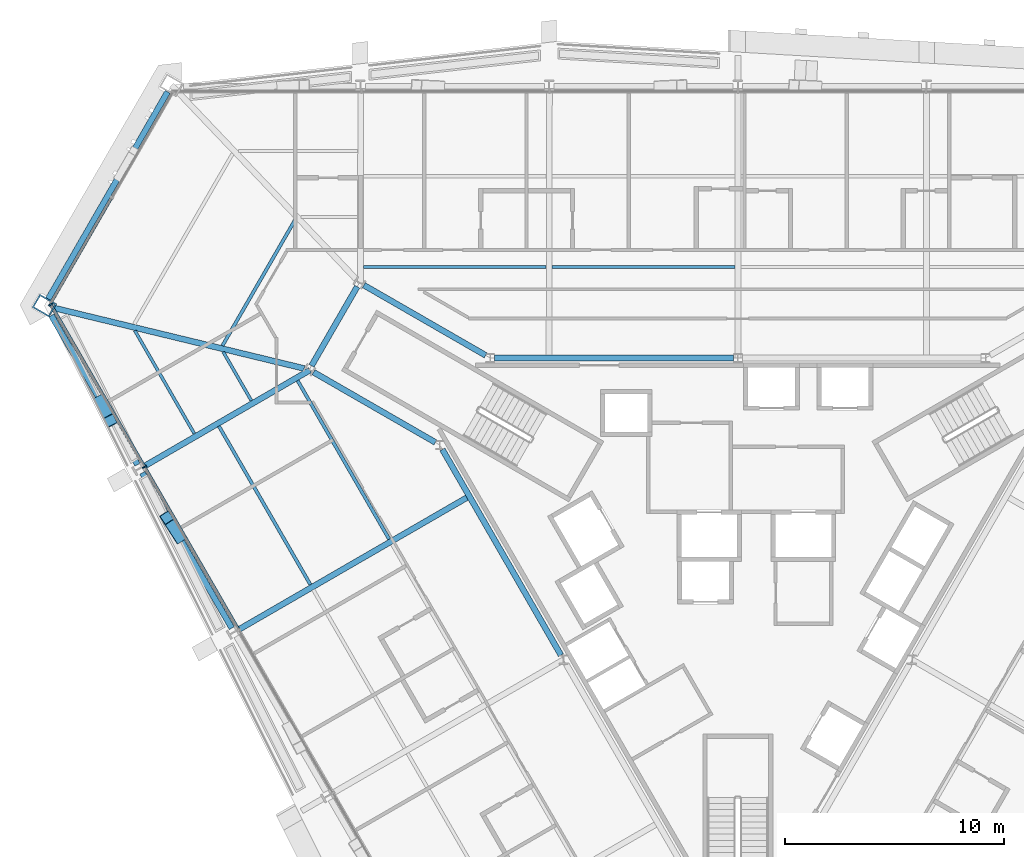
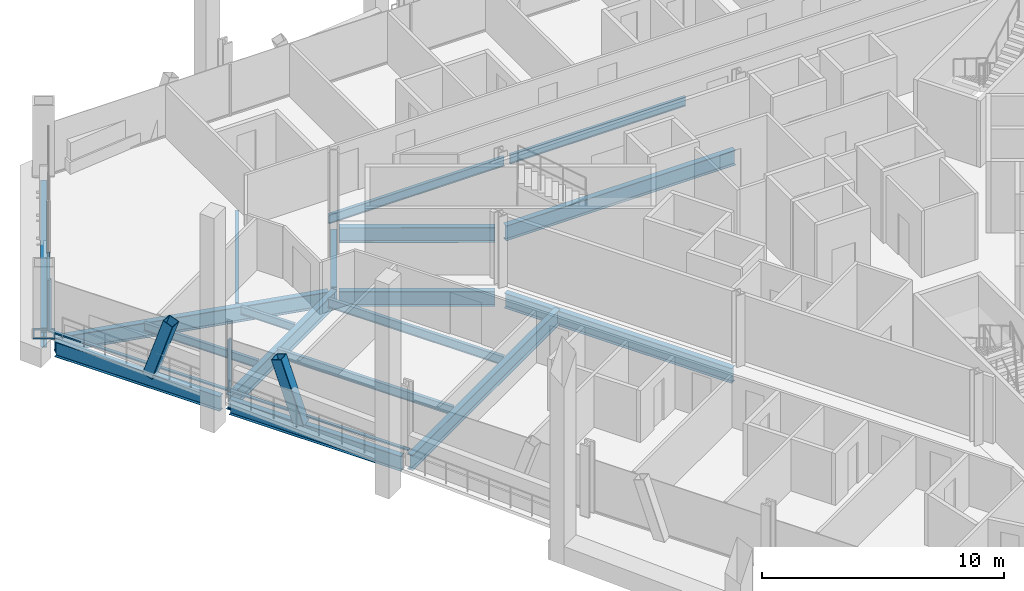
# One storey, part 7 of 19: 18 beams, 8 members, 2 elements without a shape of their own.
"""IFC4 building model written with IfcOpenShell, lengths in metres."""

import ifcopenshell
import ifcopenshell.guid

model = None  # the IFC model being written
_history = None  # IfcOwnerHistory: only IFC2X3 demands one
_inside = {}  # id of a spatial element -> (the spatial element, [elements in it])
_under = {}  # id of a project, library or spatial element -> (it, [spatial elements below it])
_declared = {}  # id of a project -> (the project, [libraries it declares])
_typed = {}  # id of a type object -> (the type object, [elements of that type])
_made_of = {}  # id of a material, layer set ... -> (it, [elements and type objects made of it])


def new_model(schema):
    """Start an empty IFC model of exactly this schema.

    Asked for "IFC4X3", IfcOpenShell would pick the latest addendum, in which some entities
    have other attributes; the version numbers below select the first issue.
    IFC2X3 requires an IfcOwnerHistory on every rooted entity: one is made here for all.
    """
    global model, _history
    if schema == "IFC4X3":
        model = ifcopenshell.file(schema_version=(4, 3, 0, 0))
    else:
        model = ifcopenshell.file(schema=schema)
    _inside.clear()
    _under.clear()
    _declared.clear()
    _typed.clear()
    _made_of.clear()
    _history = None
    if model.schema == "IFC2X3":
        org = make("IfcOrganization", Name="unknown")
        user = make(
            "IfcPersonAndOrganization",
            ThePerson=make("IfcPerson", FamilyName="unknown"),
            TheOrganization=org,
        )
        app = make(
            "IfcApplication",
            ApplicationDeveloper=org,
            Version="unknown",
            ApplicationFullName="unknown",
            ApplicationIdentifier="unknown",
        )
        _history = make(
            "IfcOwnerHistory",
            OwningUser=user,
            OwningApplication=app,
            ChangeAction="ADDED",
            CreationDate=0,
        )
    return model


def make(cls, **values):
    """One entity of the class cls with the attributes given. An attribute that is None is left unset."""
    return model.create_entity(
        cls, **{name: value for name, value in values.items() if value is not None}
    )


def rooted(cls, **values):
    """An entity with a GlobalId (a new one), such as an element, a storey or a relation."""
    return make(cls, GlobalId=ifcopenshell.guid.new(), OwnerHistory=_history, **values)


def si_unit(unit_type, name, prefix=None):
    """IfcSIUnit, for example si_unit("LENGTHUNIT", "METRE", prefix="MILLI")."""
    return make("IfcSIUnit", UnitType=unit_type, Prefix=prefix, Name=name)


def assignment(units):
    """IfcUnitAssignment: the units of a project."""
    return None if units is None else make("IfcUnitAssignment", Units=units)


def point(xyz):
    """IfcCartesianPoint."""
    return None if xyz is None else make("IfcCartesianPoint", Coordinates=xyz)


def direction(xyz):
    """IfcDirection."""
    return None if xyz is None else make("IfcDirection", DirectionRatios=xyz)


def frame(location, z_axis=None, x_axis=None):
    """IfcAxis2Placement3D, a coordinate frame: its origin and axes. An axis left out is left unset."""
    return make(
        "IfcAxis2Placement3D",
        Location=point(location),
        Axis=direction(z_axis),
        RefDirection=direction(x_axis),
    )


def frame_2d(location, x_axis=None):
    """IfcAxis2Placement2D, a coordinate frame in the plane: its origin and x axis."""
    return make(
        "IfcAxis2Placement2D", Location=point(location), RefDirection=direction(x_axis)
    )


def origin():
    """The frame at (0, 0, 0) with its axes left unset."""
    return frame((0.0, 0.0, 0.0))


def origin_2d():
    """The frame at (0, 0) in the plane with its x axis left unset."""
    return frame_2d((0.0, 0.0))


def place(relative_to, where):
    """IfcLocalPlacement: puts the frame where relative to a parent placement (None: the world)."""
    return make(
        "IfcLocalPlacement", PlacementRelTo=relative_to, RelativePlacement=where
    )


def context(
    kind, dimensions, precision=None, world=None, true_north=None, identifier=None
):
    """IfcGeometricRepresentationContext, for example the 3D "Model" context."""
    return make(
        "IfcGeometricRepresentationContext",
        ContextIdentifier=identifier,
        ContextType=kind,
        CoordinateSpaceDimension=dimensions,
        Precision=precision,
        WorldCoordinateSystem=world,
        TrueNorth=true_north,
    )


def subcontext(parent, identifier, kind, view, scale=None):
    """IfcGeometricRepresentationSubContext, for example "Body" below "Model"."""
    return make(
        "IfcGeometricRepresentationSubContext",
        ContextIdentifier=identifier,
        ContextType=kind,
        ParentContext=parent,
        TargetScale=scale,
        TargetView=view,
    )


def project(units=None, contexts=None):
    """IfcProject with its units and contexts."""
    return rooted(
        "IfcProject",
        Name="project",
        RepresentationContexts=contexts,
        UnitsInContext=assignment(units),
    )


def spatial(cls, under=None, at=None, **own):
    """A site, building, storey or space (cls), placed at a placement, below another one or the project."""
    s = rooted(cls, ObjectPlacement=at, **own)
    if under is not None:
        _under.setdefault(under.id(), (under, []))[1].append(s)
    return s


def profile(cls, at=None, kind="AREA", **sizes):
    """A parametric profile (cls). Its sizes go by their IFC names, for example OverallWidth=200.0."""
    return make(cls, ProfileType=kind, Position=at, **sizes)


def rectangle(**sizes):
    """IfcRectangleProfileDef."""
    return profile("IfcRectangleProfileDef", **sizes)


def hollow_rectangle(**sizes):
    """IfcRectangleHollowProfileDef."""
    return profile("IfcRectangleHollowProfileDef", **sizes)


def i_section(**sizes):
    """IfcIShapeProfileDef."""
    return profile("IfcIShapeProfileDef", **sizes)


def extrude(swept, where, along, depth):
    """IfcExtrudedAreaSolid: the profile swept, set in the frame where, extruded along a direction by depth."""
    return make(
        "IfcExtrudedAreaSolid",
        SweptArea=swept,
        Position=where,
        ExtrudedDirection=direction(along),
        Depth=depth,
    )


def shape(context_of_items, identifier, shape_type, items):
    """IfcShapeRepresentation: the items that make up one representation, for example the "Body"."""
    return make(
        "IfcShapeRepresentation",
        ContextOfItems=context_of_items,
        RepresentationIdentifier=identifier,
        RepresentationType=shape_type,
        Items=items,
    )


def material(Name=None, Category=None):
    """IfcMaterial."""
    return make("IfcMaterial", Name=Name, Category=Category)


def material_profile(
    of_material, cross_section, Name=None, Category=None, Priority=None
):
    """IfcMaterialProfile: a cross section and its material."""
    return make(
        "IfcMaterialProfile",
        Name=Name,
        Material=of_material,
        Profile=cross_section,
        Priority=Priority,
        Category=Category,
    )


def profile_set(profiles, Name=None, composite=None):
    """IfcMaterialProfileSet."""
    return make(
        "IfcMaterialProfileSet",
        Name=Name,
        MaterialProfiles=profiles,
        CompositeProfile=composite,
    )


def made_of(thing, what):
    """Note that an element or type object is made of a material, layer set ...; save() writes the relation."""
    if what is not None:
        _made_of.setdefault(what.id(), (what, []))[1].append(thing)
    return thing


def type_object(cls, material=None, **own):
    """A type object (cls), such as IfcWallType, which elements share."""
    return made_of(rooted(cls, **own), material)


def element(
    cls,
    number,
    at=None,
    inside=None,
    cuts=None,
    type_object=None,
    material=None,
    context=None,
    identifier="Body",
    shape_type=None,
    held_by="IfcProductDefinitionShape",
    body=None,
    shapes=None,
    **own,
):
    """One element of the class cls, such as IfcWall. Its Tag is "e" and its number.

    at: its placement. inside: the storey or other place that contains it. cuts: it is an
    opening in that element (IfcRelVoidsElement). A single representation is given by context,
    identifier, shape_type and body (its items); several are given by shapes. held_by: the class
    of the entity that holds the representations. save() writes the other relations.
    """
    e = rooted(cls, Tag="e%d" % number, ObjectPlacement=at, **own)
    if body is not None:
        shapes = [shape(context, identifier, shape_type, body)]
    if shapes is not None:
        e.Representation = make(held_by, Representations=shapes)
    if inside is not None:
        _inside.setdefault(inside.id(), (inside, []))[1].append(e)
    if cuts is not None:
        rooted(
            "IfcRelVoidsElement", RelatingBuildingElement=cuts, RelatedOpeningElement=e
        )
    if type_object is not None:
        _typed.setdefault(type_object.id(), (type_object, []))[1].append(e)
    return made_of(e, material)


def aggregate(whole, parts):
    """IfcRelAggregates: a whole, such as a stair, and the parts it consists of."""
    return rooted("IfcRelAggregates", RelatingObject=whole, RelatedObjects=parts)


def save(model, path):
    """Write the relations noted so far, then the file.

    IfcRelAggregates (storeys below a building ...), IfcRelContainedInSpatialStructure (elements
    in a storey), IfcRelDefinesByType, IfcRelAssociatesMaterial and IfcRelDeclares: one each for
    every whole, place, type object, material and project.
    """
    for whole, parts in _under.values():
        aggregate(whole, parts)
    for where, things in _inside.values():
        rooted(
            "IfcRelContainedInSpatialStructure",
            RelatedElements=things,
            RelatingStructure=where,
        )
    for kind, things in _typed.values():
        rooted("IfcRelDefinesByType", RelatedObjects=things, RelatingType=kind)
    for what, things in _made_of.values():
        rooted("IfcRelAssociatesMaterial", RelatedObjects=things, RelatingMaterial=what)
    for by, libraries in _declared.values():
        rooted("IfcRelDeclares", RelatingContext=by, RelatedDefinitions=libraries)
    model.write(path)


model = new_model("IFC4")

# Units and contexts
model_context = context("Model", 3, precision=1e-05, world=origin(), true_north=direction((0.0, 1.0)))
body_context = subcontext(model_context, "Body", "Model", "MODEL_VIEW")
ifc_project = project(units=[si_unit("LENGTHUNIT", "METRE"), si_unit("AREAUNIT", "SQUARE_METRE"), si_unit("VOLUMEUNIT", "CUBIC_METRE"), si_unit("PLANEANGLEUNIT", "RADIAN"), si_unit("MASSUNIT", "GRAM", prefix="KILO")], contexts=[model_context])

# Site, building, storey
site_placement = place(None, origin())
site = spatial("IfcSite", under=ifc_project, at=site_placement, CompositionType="ELEMENT")
building_placement = place(site_placement, origin())
building = spatial("IfcBuilding", under=site, at=building_placement, Name="Verrane Prism Tower", CompositionType="ELEMENT")
storey_placement = place(building_placement, frame((0.0, 0.0, 76.39990234375)))
storey = spatial("IfcBuildingStorey", under=building, at=storey_placement, Name="L17", CompositionType="ELEMENT", Elevation=76.39990234375)

# Beams
ifc_material_1 = material(Name="Steel A992", Category="steel")
ifc_material_profile_1 = material_profile(ifc_material_1, i_section(OverallWidth=0.2666015625, OverallDepth=0.76708984375, WebThickness=0.014892578125, FlangeThickness=0.023681640625, FilletRadius=0.0166015625, at=origin_2d()), Name="W30x124")
ifc_profile_set_1 = profile_set([ifc_material_profile_1], Name="Steel A992")
beam_type_1 = type_object("IfcBeamType", Name="Chamfer spandrel beam W30x124", PredefinedType="SPANDREL", material=ifc_profile_set_1)
beam_1_placement = place(storey_placement, frame((-26.07470703125, 21.36669921875, -0.54345703125), z_axis=(-0.499381576475, -0.866382156486, 0.0), x_axis=(0.866382156486, -0.499381576475, 0.0)))
element("IfcBeam", 1, at=beam_1_placement, inside=storey, type_object=beam_type_1, Name="Chamfer spandrel beam L17", PredefinedType="SPANDREL", context=body_context, shape_type="SweptSolid", body=[
    extrude(i_section(OverallWidth=0.2666015625, OverallDepth=0.76708984375, WebThickness=0.014892578125, FlangeThickness=0.023681640625, FilletRadius=0.0166015625, at=origin_2d()), origin(), (0.0, 0.0, 1.0), 10.934326171875),
])
ifc_material_2 = material(Name="Steel A992", Category="steel")
ifc_material_profile_2 = material_profile(ifc_material_2, i_section(OverallWidth=0.2666015625, OverallDepth=0.7568359375, WebThickness=0.013916015625, FlangeThickness=0.019287109375, FilletRadius=0.0166015625, at=origin_2d()), Name="W30x108")
ifc_profile_set_2 = profile_set([ifc_material_profile_2], Name="Steel A992")
beam_type_2 = type_object("IfcBeamType", Name="Core ring girder W30x108", PredefinedType="BEAM", material=ifc_profile_set_2)
beam_2_placement = place(storey_placement, frame((-0.203125, 9.199951171875, -0.62841796875), z_axis=(-1.0, 0.0, 0.0), x_axis=(0.0, -1.0, 0.0)))
element("IfcBeam", 2, at=beam_2_placement, inside=storey, type_object=beam_type_2, Name="Core ring girder L17", PredefinedType="BEAM", context=body_context, shape_type="SweptSolid", body=[
    extrude(i_section(OverallWidth=0.2666015625, OverallDepth=0.7568359375, WebThickness=0.013916015625, FlangeThickness=0.019287109375, FilletRadius=0.0166015625, at=origin_2d()), origin(), (0.0, 0.0, 1.0), 10.923583984375),
])
beam_3_placement = place(storey_placement, frame((-11.533203125, 9.317138671875, -0.62841796875), z_axis=(-0.866447229751, 0.499268663203, 0.0), x_axis=(-0.499268663203, -0.866447229751, 0.0)))
element("IfcBeam", 3, at=beam_3_placement, inside=storey, type_object=beam_type_2, Name="Core ring girder L17", PredefinedType="BEAM", context=body_context, shape_type="SweptSolid", body=[
    extrude(i_section(OverallWidth=0.2666015625, OverallDepth=0.7568359375, WebThickness=0.013916015625, FlangeThickness=0.019287109375, FilletRadius=0.0166015625, at=origin_2d()), origin(), (0.0, 0.0, 1.0), 6.428466796875),
])
beam_4_placement = place(storey_placement, frame((-17.40478515625, 12.45849609375, -0.62841796875), z_axis=(-0.500349643494, -0.865823442888, 0.0), x_axis=(0.865823442888, -0.500349643494, 0.0)))
element("IfcBeam", 4, at=beam_4_placement, inside=storey, type_object=beam_type_2, Name="Core ring girder L17", PredefinedType="BEAM", context=body_context, shape_type="SweptSolid", body=[
    extrude(i_section(OverallWidth=0.2666015625, OverallDepth=0.7568359375, WebThickness=0.013916015625, FlangeThickness=0.019287109375, FilletRadius=0.0166015625, at=origin_2d()), origin(), (0.0, 0.0, 1.0), 4.177734375),
])
beam_5_placement = place(storey_placement, frame((-19.403076171875, 8.54638671875, -0.62841796875), z_axis=(0.86646365882, -0.499240150574, 0.0), x_axis=(0.499240150574, 0.86646365882, 0.0)))
element("IfcBeam", 5, at=beam_5_placement, inside=storey, type_object=beam_type_2, Name="Core ring girder L17", PredefinedType="BEAM", context=body_context, shape_type="SweptSolid", body=[
    extrude(i_section(OverallWidth=0.2666015625, OverallDepth=0.7568359375, WebThickness=0.013916015625, FlangeThickness=0.019287109375, FilletRadius=0.0166015625, at=origin_2d()), origin(), (0.0, 0.0, 1.0), 6.42822265625),
])
beam_6_placement = place(storey_placement, frame((-13.510009765625, 5.01171875, -0.62841796875), z_axis=(0.499371892062, -0.866387738498, 0.0), x_axis=(0.866387738498, 0.499371892062, 0.0)))
element("IfcBeam", 6, at=beam_6_placement, inside=storey, type_object=beam_type_2, Name="Core ring girder L17", PredefinedType="BEAM", context=body_context, shape_type="SweptSolid", body=[
    extrude(i_section(OverallWidth=0.2666015625, OverallDepth=0.7568359375, WebThickness=0.013916015625, FlangeThickness=0.019287109375, FilletRadius=0.0166015625, at=origin_2d()), origin(), (0.0, 0.0, 1.0), 10.853515625),
])
ifc_material_3 = material(Name="Steel A992", Category="steel")
ifc_material_profile_3 = material_profile(ifc_material_3, i_section(OverallWidth=0.2666015625, OverallDepth=0.76708984375, WebThickness=0.014892578125, FlangeThickness=0.023681640625, FilletRadius=0.0166015625, at=origin_2d()), Name="W30x124")
ifc_profile_set_3 = profile_set([ifc_material_profile_3], Name="Steel A992")
beam_type_3 = type_object("IfcBeamType", Name="Corner girder W30x124", PredefinedType="BEAM", material=ifc_profile_set_3)
beam_7_placement = place(storey_placement, frame((-31.254150390625, 11.479736328125, -0.603515625), z_axis=(0.9719570894, -0.235158279388, 0.0), x_axis=(0.235158279388, 0.9719570894, 0.0)))
element("IfcBeam", 7, at=beam_7_placement, inside=storey, type_object=beam_type_3, Name="Corner girder L17", PredefinedType="BEAM", context=body_context, shape_type="SweptSolid", body=[
    extrude(i_section(OverallWidth=0.2666015625, OverallDepth=0.76708984375, WebThickness=0.014892578125, FlangeThickness=0.023681640625, FilletRadius=0.0166015625, at=origin_2d()), origin(), (0.0, 0.0, 1.0), 11.75341796875),
])

# Members
ifc_material_4 = material(Name="Steel A1085 Grade A", Category="steel")
ifc_material_profile_4 = material_profile(ifc_material_4, hollow_rectangle(XDim=0.508056640625, YDim=0.508056640625, WallThickness=0.025390625, InnerFilletRadius=0.0126953125, OuterFilletRadius=0.0380859375, at=origin_2d()), Name="HSS20x20x1")
ifc_profile_set_4 = profile_set([ifc_material_profile_4], Name="Steel A1085 Grade A")
member_type_1 = type_object("IfcMemberType", Name="Facade brace HSS20x20x1", PredefinedType="BRACE", material=ifc_profile_set_4)
member_1_placement = place(storey_placement, frame((-29.141845703125, 7.240234375, -0.242431640625), z_axis=(0.145173430426, -0.283576716772, 0.947897104544), x_axis=(0.890136551388, 0.455693888353, 0.0)))
element("IfcMember", 8, at=member_1_placement, inside=storey, type_object=member_type_1, Name="Facade brace SW0 L17", PredefinedType="BRACE", context=body_context, shape_type="SweptSolid", body=[
    extrude(hollow_rectangle(XDim=0.508056640625, YDim=0.508056640625, WallThickness=0.025390625, InnerFilletRadius=0.0126953125, OuterFilletRadius=0.0380859375, at=origin_2d()), origin(), (0.0, 0.0, 1.0), 3.17333984375),
])
member_2_placement = place(storey_placement, frame((-25.5478515625, 1.015380859375, -0.242431640625), z_axis=(-0.177865244931, 0.275844461751, 0.944602449482), x_axis=(-0.840433922457, -0.541914035603, 0.0)))
element("IfcMember", 9, at=member_2_placement, inside=storey, type_object=member_type_1, Name="Facade brace SW1 L17", PredefinedType="BRACE", context=body_context, shape_type="SweptSolid", body=[
    extrude(hollow_rectangle(XDim=0.508056640625, YDim=0.508056640625, WallThickness=0.025390625, InnerFilletRadius=0.0126953125, OuterFilletRadius=0.0380859375, at=origin_2d()), origin(), (0.0, 0.0, 1.0), 3.1845703125),
])

# Beams
ifc_material_5 = material(Name="Steel A992", Category="steel")
ifc_material_profile_5 = material_profile(ifc_material_5, i_section(OverallWidth=0.140380859375, OverallDepth=0.40380859375, WebThickness=0.007080078125, FlangeThickness=0.01123046875, FilletRadius=0.01025390625, at=origin_2d()), Name="W16x31")
ifc_profile_set_5 = profile_set([ifc_material_profile_5], Name="Steel A992")
beam_type_4 = type_object("IfcBeamType", Name="Floor beam W16x31", PredefinedType="BEAM", material=ifc_profile_set_5)
beam_8_placement = place(storey_placement, frame((-22.246826171875, 7.248779296875, -0.36181640625), z_axis=(-0.499930841935, 0.86606532853, 0.0), x_axis=(-0.86606532853, -0.499930841935, 0.0)))
element("IfcBeam", 10, at=beam_8_placement, inside=storey, type_object=beam_type_4, Name="Floor beam L17", PredefinedType="BEAM", context=body_context, shape_type="SweptSolid", body=[
    extrude(i_section(OverallWidth=0.140380859375, OverallDepth=0.40380859375, WebThickness=0.007080078125, FlangeThickness=0.01123046875, FilletRadius=0.01025390625, at=origin_2d()), origin(), (0.0, 0.0, 1.0), 2.569091796875),
])
beam_9_placement = place(storey_placement, frame((-24.856689453125, 5.7421875, -0.36181640625), z_axis=(-0.500006102154, 0.866021880676, 0.0), x_axis=(-0.866021880676, -0.500006102154, 0.0)))
element("IfcBeam", 11, at=beam_9_placement, inside=storey, type_object=beam_type_4, Name="Floor beam L17", PredefinedType="BEAM", context=body_context, shape_type="SweptSolid", body=[
    extrude(i_section(OverallWidth=0.140380859375, OverallDepth=0.40380859375, WebThickness=0.007080078125, FlangeThickness=0.01123046875, FilletRadius=0.01025390625, at=origin_2d()), origin(), (0.0, 0.0, 1.0), 5.43896484375),
])
ifc_material_6 = material(Name="Steel A992", Category="steel")
ifc_material_profile_6 = material_profile(ifc_material_6, i_section(OverallWidth=0.15234375, OverallDepth=0.449462890625, WebThickness=0.007568359375, FlangeThickness=0.0107421875, FilletRadius=0.01025390625, at=origin_2d()), Name="W18x35")
ifc_profile_set_6 = profile_set([ifc_material_profile_6], Name="Steel A992")
beam_type_5 = type_object("IfcBeamType", Name="Floor beam W18x35", PredefinedType="BEAM", material=ifc_profile_set_6)
for number, where, z_axis, x_axis, name in (
    (12, (-8.49658203125, 13.356689453125, -0.384765625), (1.0, 0.0, 0.0), (0.0, 1.0, 0.0), "Floor beam L17"),
    (13, (-17.12646484375, 13.356689453125, -0.384765625), (1.0, 0.0, 0.0), (0.0, 1.0, 0.0), "Floor beam L17"),
):
    element("IfcBeam", number, at=place(storey_placement, frame(where, z_axis=z_axis, x_axis=x_axis)), inside=storey, type_object=beam_type_5, Name=name, PredefinedType="BEAM", context=body_context, shape_type="SweptSolid", body=[
        extrude(i_section(OverallWidth=0.15234375, OverallDepth=0.449462890625, WebThickness=0.007568359375, FlangeThickness=0.0107421875, FilletRadius=0.01025390625, at=origin_2d()), origin(), (0.0, 0.0, 1.0), 8.363037109375),
    ])
beam_10_placement = place(storey_placement, frame((-15.946533203125, 0.915771484375, -0.384765625), z_axis=(-0.500001954328, 0.866024275449, 0.0), x_axis=(-0.866024275449, -0.500001954328, 0.0)))
element("IfcBeam", 14, at=beam_10_placement, inside=storey, type_object=beam_type_5, Name="Floor beam L17", PredefinedType="BEAM", context=body_context, shape_type="SweptSolid", body=[
    extrude(i_section(OverallWidth=0.15234375, OverallDepth=0.449462890625, WebThickness=0.007568359375, FlangeThickness=0.0107421875, FilletRadius=0.01025390625, at=origin_2d()), origin(), (0.0, 0.0, 1.0), 8.36767578125),
])
beam_11_placement = place(storey_placement, frame((-19.547119140625, -1.164794921875, -0.384765625), z_axis=(-0.499979169146, 0.86603743015, 0.0), x_axis=(-0.86603743015, -0.499979169146, 0.0)))
element("IfcBeam", 15, at=beam_11_placement, inside=storey, type_object=beam_type_5, Name="Floor beam L17", PredefinedType="BEAM", context=body_context, shape_type="SweptSolid", body=[
    extrude(i_section(OverallWidth=0.15234375, OverallDepth=0.449462890625, WebThickness=0.007568359375, FlangeThickness=0.0107421875, FilletRadius=0.01025390625, at=origin_2d()), origin(), (0.0, 0.0, 1.0), 8.369384765625),
])
beam_12_placement = place(storey_placement, frame((-23.568603515625, 9.757568359375, -0.384765625), z_axis=(0.500007828009, 0.866020884234, 0.0), x_axis=(-0.866020884234, 0.500007828009, 0.0)))
element("IfcBeam", 16, at=beam_12_placement, inside=storey, type_object=beam_type_5, Name="Floor beam L17", PredefinedType="BEAM", context=body_context, shape_type="SweptSolid", body=[
    extrude(i_section(OverallWidth=0.15234375, OverallDepth=0.449462890625, WebThickness=0.007568359375, FlangeThickness=0.0107421875, FilletRadius=0.01025390625, at=origin_2d()), origin(), (0.0, 0.0, 1.0), 6.6650390625),
])

# Member
ifc_material_7 = material(Name="Steel A572 Grade 50", Category="steel")
ifc_material_profile_7 = material_profile(ifc_material_7, hollow_rectangle(XDim=0.699951171875, YDim=0.89990234375, WallThickness=0.06494140625, at=origin_2d()), Name="BOX 900x700x65")
ifc_profile_set_7 = profile_set([ifc_material_profile_7], Name="Steel A572 Grade 50")
member_type_2 = type_object("IfcMemberType", Name="Kink node BOX 900x700x65", PredefinedType="COLLAR", material=ifc_profile_set_7)
member_3_placement = place(storey_placement, frame((-31.7080078125, 11.590087890625, -0.039794921875), z_axis=(0.0, 0.0, 1.0), x_axis=(0.5, 0.866025403784, 0.0)))
element("IfcMember", 17, at=member_3_placement, inside=storey, type_object=member_type_2, Name="Kink node MC3 L17", PredefinedType="COLLAR", context=body_context, shape_type="SweptSolid", body=[
    extrude(hollow_rectangle(XDim=0.699951171875, YDim=0.89990234375, WallThickness=0.06494140625, at=origin_2d()), origin(), (0.0, 0.0, 1.0), 0.079833984375),
])

# Curtain wall, members
ifc_material_8 = material(Name="Aluminium framed insulated glazing", Category="aluminium")
curtain_wall_type_1 = type_object("IfcCurtainWallType", Name="Curtain wall CW-A 8400 module", PredefinedType="NOTDEFINED", material=ifc_material_8)
curtain_wall_1_placement = place(storey_placement, origin())
curtain_wall_1 = element("IfcCurtainWall", 18, at=curtain_wall_1_placement, inside=storey, type_object=curtain_wall_type_1, Name="Glazed curtain wall south-west face L17", PredefinedType="NOTDEFINED")
ifc_material_9 = material(Name="Aluminium alloy 6063-T6", Category="aluminium")
ifc_material_profile_8 = material_profile(ifc_material_9, rectangle(XDim=0.199951171875, YDim=0.070068359375, at=origin_2d()), Name="Mullion 70x200 aluminium")
ifc_profile_set_8 = profile_set([ifc_material_profile_8], Name="Aluminium alloy 6063-T6")
member_type_3 = type_object("IfcMemberType", Name="Mullion 70x200 aluminium", PredefinedType="MULLION", material=ifc_profile_set_8)
member_4_placement = place(storey_placement, frame((-31.418701171875, 11.63720703125, 0.0), z_axis=(0.0, 0.0, 1.0), x_axis=(0.866025845387, 0.499999235121, 0.0)))
member_4 = element("IfcMember", 19, at=member_4_placement, type_object=member_type_3, Name="CW17.4 mullion 1", PredefinedType="MULLION", context=body_context, shape_type="SweptSolid", body=[
    extrude(rectangle(XDim=0.199951171875, YDim=0.070068359375, at=origin_2d()), origin(), (0.0, 0.0, 1.0), 2.613037109375),
])
member_5_placement = place(storey_placement, frame((-27.132568359375, 4.213134765625, 0.0), z_axis=(0.0, 0.0, 1.0), x_axis=(0.866025845387, 0.499999235121, 0.0)))
member_5 = element("IfcMember", 20, at=member_5_placement, type_object=member_type_3, Name="CW17.4 mullion 2", PredefinedType="MULLION", context=body_context, shape_type="SweptSolid", body=[
    extrude(rectangle(XDim=0.199951171875, YDim=0.070068359375, at=origin_2d()), origin(), (0.0, 0.0, 1.0), 2.613037109375),
])

# Beams
ifc_material_10 = material(Name="Steel A992", Category="steel")
ifc_material_profile_9 = material_profile(ifc_material_10, i_section(OverallWidth=0.2666015625, OverallDepth=0.76708984375, WebThickness=0.014892578125, FlangeThickness=0.023681640625, FilletRadius=0.0166015625, at=origin_2d()), Name="W30x124")
ifc_profile_set_9 = profile_set([ifc_material_profile_9], Name="Steel A992")
beam_type_6 = type_object("IfcBeamType", Name="Radial girder W30x124", PredefinedType="BEAM", material=ifc_profile_set_9)
beam_13_placement = place(storey_placement, frame((-27.130615234375, 4.25341796875, -0.603515625), z_axis=(0.864935194716, 0.501883561139, 0.0), x_axis=(-0.501883561139, 0.864935194716, 0.0)))
element("IfcBeam", 21, at=beam_13_placement, inside=storey, type_object=beam_type_6, Name="Radial girder L17", PredefinedType="BEAM", context=body_context, shape_type="SweptSolid", body=[
    extrude(i_section(OverallWidth=0.2666015625, OverallDepth=0.76708984375, WebThickness=0.014892578125, FlangeThickness=0.023681640625, FilletRadius=0.0166015625, at=origin_2d()), origin(), (0.0, 0.0, 1.0), 8.743408203125),
])
beam_14_placement = place(storey_placement, frame((-22.8154296875, -3.218505859375, -0.603515625), z_axis=(0.865623048871, 0.500696252496, 0.0), x_axis=(-0.500696252496, 0.865623048871, 0.0)))
element("IfcBeam", 22, at=beam_14_placement, inside=storey, type_object=beam_type_6, Name="Radial girder L17", PredefinedType="BEAM", context=body_context, shape_type="SweptSolid", body=[
    extrude(i_section(OverallWidth=0.2666015625, OverallDepth=0.76708984375, WebThickness=0.014892578125, FlangeThickness=0.023681640625, FilletRadius=0.0166015625, at=origin_2d()), origin(), (0.0, 0.0, 1.0), 12.172119140625),
])
ifc_material_11 = material(Name="Steel A992", Category="steel")
ifc_material_profile_10 = material_profile(ifc_material_11, i_section(OverallWidth=0.2666015625, OverallDepth=0.7568359375, WebThickness=0.013916015625, FlangeThickness=0.019287109375, FilletRadius=0.0166015625, at=origin_2d()), Name="W30x108")
ifc_profile_set_10 = profile_set([ifc_material_profile_10], Name="Steel A992")
beam_type_7 = type_object("IfcBeamType", Name="Spandrel beam W30x108", PredefinedType="SPANDREL", material=ifc_profile_set_10)
beam_15_placement = place(storey_placement, frame((-31.392578125, 11.139892578125, -0.538330078125), z_axis=(0.499891427362, -0.866088079153, 0.0), x_axis=(0.866088079153, 0.499891427362, 0.0)))
element("IfcBeam", 23, at=beam_15_placement, inside=storey, type_object=beam_type_7, Name="Spandrel beam L17", PredefinedType="SPANDREL", context=body_context, shape_type="SweptSolid", body=[
    extrude(i_section(OverallWidth=0.2666015625, OverallDepth=0.7568359375, WebThickness=0.013916015625, FlangeThickness=0.019287109375, FilletRadius=0.0166015625, at=origin_2d()), origin(), (0.0, 0.0, 1.0), 7.879638671875),
])
beam_16_placement = place(storey_placement, frame((-27.23779296875, 3.94140625, -0.538330078125), z_axis=(0.500108356668, -0.865962834994, 0.0), x_axis=(0.865962834994, 0.500108356668, 0.0)))
element("IfcBeam", 24, at=beam_16_placement, inside=storey, type_object=beam_type_7, Name="Spandrel beam L17", PredefinedType="SPANDREL", context=body_context, shape_type="SweptSolid", body=[
    extrude(i_section(OverallWidth=0.2666015625, OverallDepth=0.7568359375, WebThickness=0.013916015625, FlangeThickness=0.019287109375, FilletRadius=0.0166015625, at=origin_2d()), origin(), (0.0, 0.0, 1.0), 8.196044921875),
])

# Curtain wall, member
ifc_material_12 = material(Name="Aluminium framed insulated glazing", Category="aluminium")
curtain_wall_type_2 = type_object("IfcCurtainWallType", Name="Curtain wall CW-B 5600 module", PredefinedType="NOTDEFINED", material=ifc_material_12)
curtain_wall_2_placement = place(storey_placement, origin())
curtain_wall_2 = element("IfcCurtainWall", 25, at=curtain_wall_2_placement, inside=storey, type_object=curtain_wall_type_2, Name="Glazed curtain wall north-west corner L17", PredefinedType="NOTDEFINED")
ifc_material_13 = material(Name="Aluminium alloy 6063-T6", Category="aluminium")
ifc_material_profile_11 = material_profile(ifc_material_13, rectangle(XDim=0.1201171875, YDim=0.06005859375, at=origin_2d()), Name="Transom 60x120 aluminium")
ifc_profile_set_11 = profile_set([ifc_material_profile_11], Name="Aluminium alloy 6063-T6")
member_type_4 = type_object("IfcMemberType", Name="Transom 60x120 aluminium", PredefinedType="USERDEFINED", material=ifc_profile_set_11)
member_6_placement = place(storey_placement, frame((-28.644287109375, 16.503173828125, 0.030029296875), z_axis=(-0.500013878146, -0.866017391085, 0.0), x_axis=(0.866017391085, -0.500013878146, 0.0)))
member_6 = element("IfcMember", 26, at=member_6_placement, type_object=member_type_4, Name="CW17.3 transom 2", ObjectType="TRANSOM", PredefinedType="USERDEFINED", context=body_context, shape_type="SweptSolid", body=[
    extrude(rectangle(XDim=0.1201171875, YDim=0.06005859375, at=origin_2d()), origin(), (0.0, 0.0, 1.0), 5.583740234375),
])
aggregate(curtain_wall_2, [member_6])

# Member
ifc_material_14 = material(Name="Aluminium alloy 6063-T6", Category="aluminium")
ifc_material_profile_12 = material_profile(ifc_material_14, rectangle(XDim=0.14990234375, YDim=0.070068359375, at=origin_2d()), Name="Transom 70x150 aluminium")
ifc_profile_set_12 = profile_set([ifc_material_profile_12], Name="Aluminium alloy 6063-T6")
member_type_5 = type_object("IfcMemberType", Name="Transom 70x150 aluminium", PredefinedType="USERDEFINED", material=ifc_profile_set_12)
member_7_placement = place(storey_placement, frame((-31.4013671875, 11.606689453125, 0.03515625), z_axis=(0.500002495586, -0.866023962952, 0.0), x_axis=(0.866023962952, 0.500002495586, 0.0)))
member_7 = element("IfcMember", 27, at=member_7_placement, type_object=member_type_5, Name="CW17.4 transom 1", ObjectType="TRANSOM", PredefinedType="USERDEFINED", context=body_context, shape_type="SweptSolid", body=[
    extrude(rectangle(XDim=0.14990234375, YDim=0.070068359375, at=origin_2d()), origin(), (0.0, 0.0, 1.0), 8.50244140625),
])

member_8_placement = place(storey_placement, frame((-27.114990234375, 4.182861328125, 0.03515625), z_axis=(0.499977418008, -0.866038441111, 0.0), x_axis=(0.866038441111, 0.499977418008, 0.0)))
member_8 = element("IfcMember", 28, at=member_8_placement, type_object=member_type_5, Name="CW17.4 transom 2", ObjectType="TRANSOM", PredefinedType="USERDEFINED", context=body_context, shape_type="SweptSolid", body=[
    extrude(rectangle(XDim=0.14990234375, YDim=0.070068359375, at=origin_2d()), origin(), (0.0, 0.0, 1.0), 8.53759765625),
])

aggregate(curtain_wall_1, [member_4, member_5, member_7, member_8])

save(model, "model.ifc")
